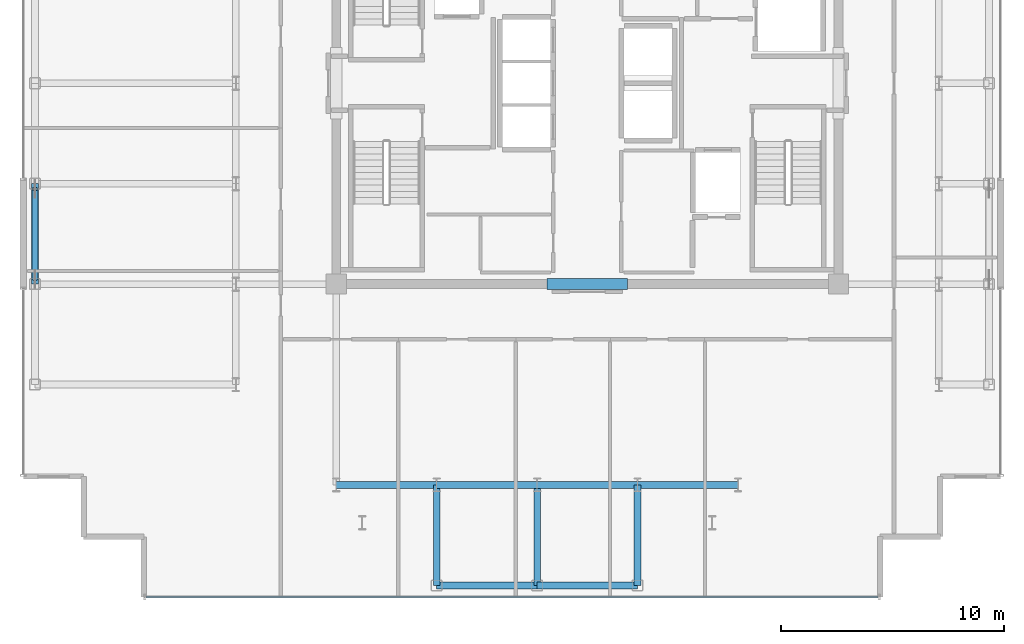
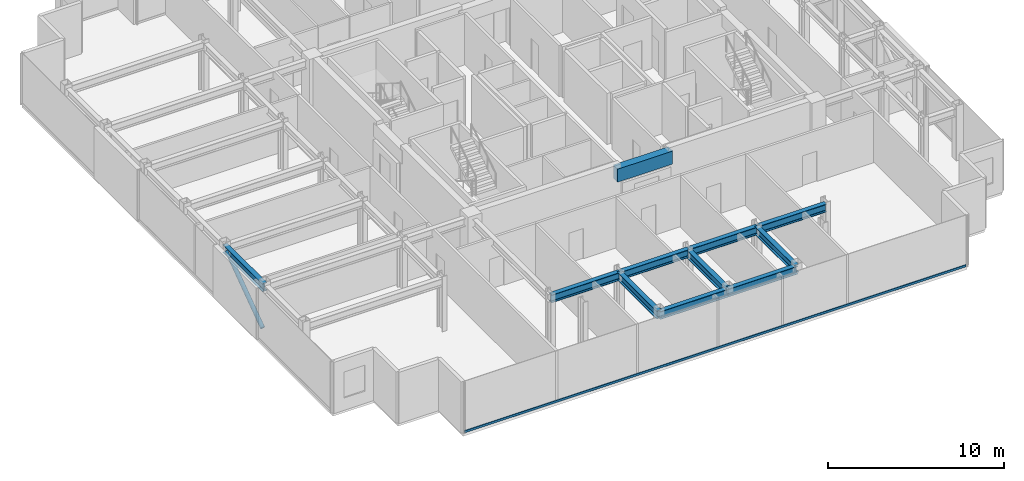
# One storey, part 3 of 16: 11 beams, 2 members, 1 element without a shape of its own.
"""IFC4 building model written with IfcOpenShell, lengths in metres."""

from ifc_helpers import new_model, si_unit, direction, frame, origin, origin_2d, place, context, subcontext, project, spatial, rectangle, hollow_rectangle, hollow_circle, i_section, extrude, source, transform, mapped, material, layer, layer_set, material_profile, profile_set, type_object, element, aggregate, save


model = new_model("IFC4")

# Units and contexts
model_context = context("Model", 3, precision=1e-05, world=origin(), true_north=direction((0.0, 1.0)))
body_context = subcontext(model_context, "Body", "Model", "MODEL_VIEW")
ifc_project = project(units=[si_unit("LENGTHUNIT", "METRE"), si_unit("AREAUNIT", "SQUARE_METRE"), si_unit("VOLUMEUNIT", "CUBIC_METRE"), si_unit("PLANEANGLEUNIT", "RADIAN"), si_unit("MASSUNIT", "GRAM", prefix="KILO")], contexts=[model_context])

# Site, building, storey
site_placement = place(None, origin())
site = spatial("IfcSite", under=ifc_project, at=site_placement, CompositionType="ELEMENT")
building_placement = place(site_placement, origin())
building = spatial("IfcBuilding", under=site, at=building_placement, Name="Nefas-Gora Pilgrimage Tower", CompositionType="ELEMENT")
storey_placement = place(building_placement, frame((0.0, 0.0, 322.39990234375)))
storey = spatial("IfcBuildingStorey", under=building, at=storey_placement, Name="L81", CompositionType="ELEMENT", Elevation=322.39990234375)

# Beam
ifc_material_1 = material(Name="Concrete C50/60", Category="concrete")
ifc_material_profile_1 = material_profile(ifc_material_1, rectangle(XDim=0.5, YDim=0.89990234375, at=origin_2d()), Name="RC 500x900")
ifc_profile_set_1 = profile_set([ifc_material_profile_1], Name="Concrete C50/60")
beam_type_1 = type_object("IfcBeamType", Name="BM-LIN-RC900", PredefinedType="LINTEL", material=ifc_profile_set_1)
shared_shape_1 = source(origin(), body_context, "Body", "SweptSolid", [
    extrude(rectangle(XDim=0.5, YDim=0.89990234375, at=origin_2d()), origin(), (0.0, 0.0, 1.0), 3.60009765625),
])
beam_placement = place(storey_placement, frame((-1.800048828125, -9.0, 3.10009765625), z_axis=(1.0, 0.0, 0.0), x_axis=(0.0, 1.0, 0.0)))
element("IfcBeam", 1, at=beam_placement, inside=storey, type_object=beam_type_1, Name="L81 Core Coupling Lintel Beam S", PredefinedType="LINTEL", context=body_context, shape_type="MappedRepresentation", body=[
    mapped(shared_shape_1, transform((0.0, 0.0, 0.0), x_axis=(1.0, 0.0, 0.0), y_axis=(0.0, 1.0, 0.0), z_axis=(0.0, 0.0, 1.0), scale=1.0)),
])

# Member
ifc_material_2 = material(Name="Steel S355", Category="steel")
ifc_material_profile_2 = material_profile(ifc_material_2, hollow_circle(Radius=0.136474609375, WallThickness=0.01611328125, at=origin_2d()), Name="CHS 273x16")
ifc_profile_set_2 = profile_set([ifc_material_profile_2], Name="Steel S355")
member_type_1 = type_object("IfcMemberType", Name="MEM-TUBE-273", PredefinedType="BRACE", material=ifc_profile_set_2)
shared_shape_2 = source(origin(), body_context, "Body", "SweptSolid", [
    extrude(hollow_circle(Radius=0.136474609375, WallThickness=0.01611328125, at=origin_2d()), origin(), (0.0, 0.0, 1.0), 4.947998046875),
])
member_1_placement = place(storey_placement, frame((-24.75, -8.761962890625, 0.3203125), z_axis=(0.0, 0.813239767156, 0.581928759485), x_axis=(-1.0, 0.0, 0.0)))
element("IfcMember", 2, at=member_1_placement, inside=storey, type_object=member_type_1, Name="L81 Perimeter Tube Diagonal Brace W1", PredefinedType="BRACE", context=body_context, shape_type="MappedRepresentation", body=[
    mapped(shared_shape_2, transform((0.0, 0.0, 0.0), x_axis=(1.0, 0.0, 0.0), y_axis=(0.0, 1.0, 0.0), z_axis=(0.0, 0.0, 1.0), scale=1.0)),
])

# Beams
ifc_material_profile_3 = material_profile(ifc_material_2, i_section(OverallWidth=0.300048828125, OverallDepth=0.550048828125, WebThickness=0.014892578125, FlangeThickness=0.029052734375, FilletRadius=0.027099609375, at=origin_2d()), Name="HEB 550")
ifc_profile_set_3 = profile_set([ifc_material_profile_3], Name="Steel S355")
beam_type_2 = type_object("IfcBeamType", Name="BM-SPN-HEB400", PredefinedType="SPANDREL", material=ifc_profile_set_3)
shared_shape_3 = source(origin(), body_context, "Body", "SweptSolid", [
    extrude(i_section(OverallWidth=0.300048828125, OverallDepth=0.550048828125, WebThickness=0.014892578125, FlangeThickness=0.029052734375, FilletRadius=0.027099609375, at=origin_2d()), origin(), (0.0, 0.0, 1.0), 4.5),
])
for number, where, z_axis, x_axis, name in (
    (3, (-24.75, -9.0, 3.275146484375), (0.0, 1.0, 0.0), (-1.0, 0.0, 0.0), "L81 SP-04 beam"),
    (4, (-6.75, -22.5, 3.275146484375), (1.0, 0.0, 0.0), (0.0, 1.0, 0.0), "L81 SP-04 beam"),
    (5, (-2.25, -22.5, 3.275146484375), (1.0, 0.0, 0.0), (0.0, 1.0, 0.0), "L81 SP-04 beam"),
):
    element("IfcBeam", number, at=place(storey_placement, frame(where, z_axis=z_axis, x_axis=x_axis)), inside=storey, type_object=beam_type_2, Name=name, PredefinedType="SPANDREL", context=body_context, shape_type="MappedRepresentation", body=[
        mapped(shared_shape_3, transform((0.0, 0.0, 0.0), x_axis=(1.0, 0.0, 0.0), y_axis=(0.0, 1.0, 0.0), z_axis=(0.0, 0.0, 1.0), scale=1.0)),
    ])
ifc_material_profile_4 = material_profile(ifc_material_2, i_section(OverallWidth=0.300048828125, OverallDepth=0.550048828125, WebThickness=0.014892578125, FlangeThickness=0.029052734375, FilletRadius=0.027099609375, at=origin_2d()), Name="HEB 550")
ifc_profile_set_4 = profile_set([ifc_material_profile_4], Name="Steel S355")
beam_type_3 = type_object("IfcBeamType", Name="BM-GIR-HEB550", PredefinedType="BEAM", material=ifc_profile_set_4)
shared_shape_4 = source(origin(), body_context, "Body", "SweptSolid", [
    extrude(i_section(OverallWidth=0.300048828125, OverallDepth=0.550048828125, WebThickness=0.014892578125, FlangeThickness=0.029052734375, FilletRadius=0.027099609375, at=origin_2d()), origin(), (0.0, 0.0, 1.0), 4.5),
])
for number, where, z_axis, x_axis, name in (
    (6, (-11.25, -18.0, 3.275146484375), (1.0, 0.0, 0.0), (0.0, 1.0, 0.0), "L81 G-05 beam"),
    (7, (-6.75, -22.5, 3.275146484375), (0.0, 1.0, 0.0), (-1.0, 0.0, 0.0), "L81 G-05 beam"),
    (8, (-6.75, -18.0, 3.275146484375), (1.0, 0.0, 0.0), (0.0, 1.0, 0.0), "L81 G-05 beam"),
    (9, (-2.25, -22.5, 3.275146484375), (0.0, 1.0, 0.0), (-1.0, 0.0, 0.0), "L81 G-05 beam"),
    (10, (-2.25, -18.0, 3.275146484375), (1.0, 0.0, 0.0), (0.0, 1.0, 0.0), "L81 G-05 beam"),
    (11, (2.25, -22.5, 3.275146484375), (0.0, 1.0, 0.0), (-1.0, 0.0, 0.0), "L81 G-05 beam"),
    (12, (2.25, -18.0, 3.275146484375), (1.0, 0.0, 0.0), (0.0, 1.0, 0.0), "L81 G-05 beam"),
):
    element("IfcBeam", number, at=place(storey_placement, frame(where, z_axis=z_axis, x_axis=x_axis)), inside=storey, type_object=beam_type_3, Name=name, PredefinedType="BEAM", context=body_context, shape_type="MappedRepresentation", body=[
        mapped(shared_shape_4, transform((0.0, 0.0, 0.0), x_axis=(1.0, 0.0, 0.0), y_axis=(0.0, 1.0, 0.0), z_axis=(0.0, 0.0, 1.0), scale=1.0)),
    ])

# Curtain wall, member
ifc_material_3 = material(Name="Dark ceramic-fritted solar-control aluminium-glass curtain wall", Category="aluminium")
ifc_layer = layer(ifc_material_3, 0.219970703125)
ifc_layer_set = layer_set([ifc_layer], Name="Dark ceramic-fritted solar-control aluminium-glass curtain wall")
curtain_wall_type = type_object("IfcCurtainWallType", Name="CW-SYS-4", PredefinedType="NOTDEFINED", material=ifc_layer_set)
curtain_wall_placement = place(storey_placement, origin())
curtain_wall = element("IfcCurtainWall", 13, at=curtain_wall_placement, inside=storey, type_object=curtain_wall_type, Name="L81 Unitised Curtain Wall CW4", PredefinedType="NOTDEFINED")
ifc_material_4 = material(Name="Anodised architectural aluminium", Category="aluminium")
ifc_material_profile_5 = material_profile(ifc_material_4, hollow_rectangle(XDim=0.080078125, YDim=0.159912109375, WallThickness=0.00439453125, InnerFilletRadius=0.00439453125, OuterFilletRadius=0.009033203125, at=origin_2d()), Name="ALU TRANSOM 80x160")
ifc_profile_set_5 = profile_set([ifc_material_profile_5], Name="Anodised architectural aluminium")
member_type_2 = type_object("IfcMemberType", Name="CWM-TRN-4", PredefinedType="USERDEFINED", material=ifc_profile_set_5)
shared_shape_5 = source(origin(), body_context, "Body", "SweptSolid", [
    extrude(hollow_rectangle(XDim=0.080078125, YDim=0.159912109375, WallThickness=0.00439453125, InnerFilletRadius=0.00439453125, OuterFilletRadius=0.009033203125, at=origin_2d()), origin(), (0.0, 0.0, 1.0), 32.81005859375),
])
member_2_placement = place(storey_placement, frame((-19.780029296875, -23.02001953125, 0.050048828125), z_axis=(1.0, 0.0, 0.0), x_axis=(0.0, 1.0, 0.0)))
member_2 = element("IfcMember", 14, at=member_2_placement, type_object=member_type_2, Name="CW4 Spandrel Transom", ObjectType="TRANSOM", PredefinedType="USERDEFINED", context=body_context, shape_type="MappedRepresentation", body=[
    mapped(shared_shape_5, transform((0.0, 0.0, 0.0), x_axis=(1.0, 0.0, 0.0), y_axis=(0.0, 1.0, 0.0), z_axis=(0.0, 0.0, 1.0), scale=1.0)),
])
aggregate(curtain_wall, [member_2])

save(model, "model.ifc")
